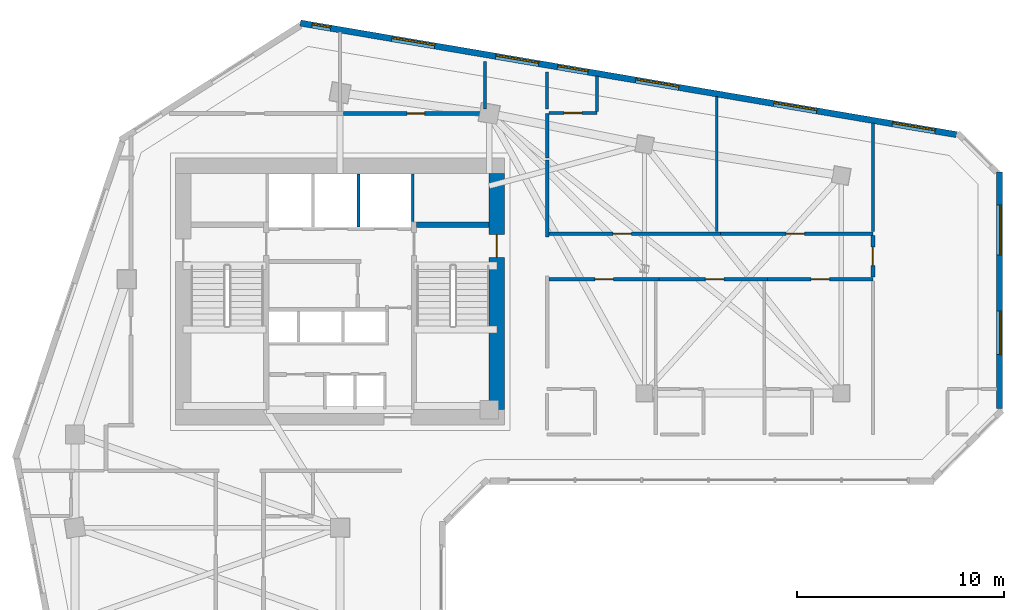
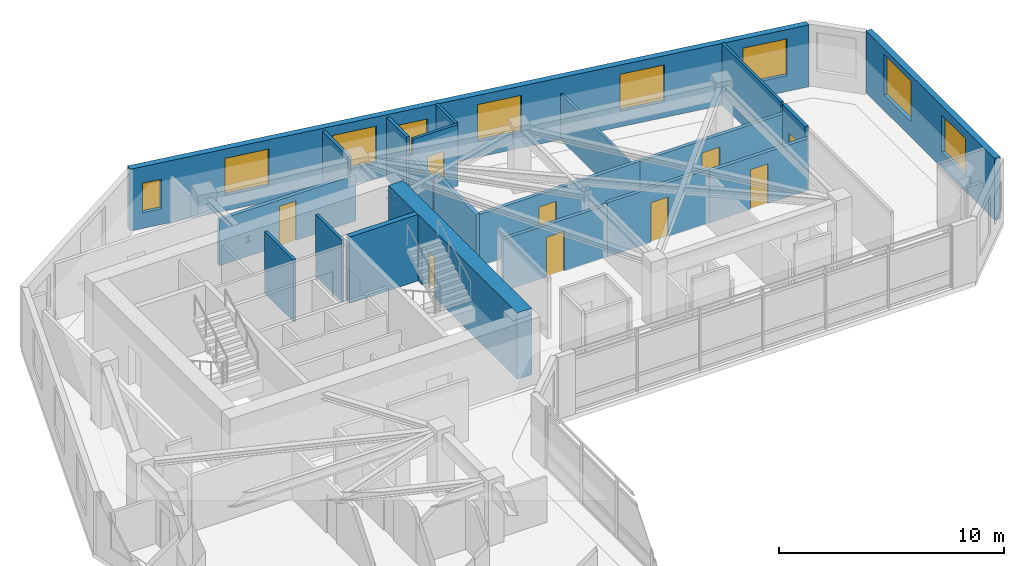
# One storey, part 8 of 12: 21 walls, 9 doors, 9 windows, 18 openings.
"""IFC4 building model written with IfcOpenShell, lengths in metres."""

from ifc_helpers import new_model, si_unit, direction, frame, frame_2d, origin, place, context, subcontext, project, spatial, rectangle, extrude, source, transform, mapped, material, layer, layer_set, type_object, element, fill, save


model = new_model("IFC4")

# Units and contexts
model_context = context("Model", 3, precision=1e-05, world=origin(), true_north=direction((0.0, 1.0)))
body_context = subcontext(model_context, "Body", "Model", "MODEL_VIEW")
ifc_project = project(units=[si_unit("LENGTHUNIT", "METRE"), si_unit("AREAUNIT", "SQUARE_METRE"), si_unit("VOLUMEUNIT", "CUBIC_METRE"), si_unit("PLANEANGLEUNIT", "RADIAN"), si_unit("MASSUNIT", "GRAM", prefix="KILO")], contexts=[model_context])

# Site, building, storey
site_placement = place(None, origin())
site = spatial("IfcSite", under=ifc_project, at=site_placement, CompositionType="ELEMENT")
building_placement = place(site_placement, origin())
building = spatial("IfcBuilding", under=site, at=building_placement, Name="Calvemar Wedge Station Tower", CompositionType="ELEMENT")
storey_placement = place(building_placement, frame((0.0, 0.0, 121.39990234375)))
storey = spatial("IfcBuildingStorey", under=building, at=storey_placement, Name="L29", CompositionType="ELEMENT", Elevation=121.39990234375)

# Wall
ifc_material_1 = material(Name="Concrete C50", Category="concrete")
ifc_layer_1 = layer(ifc_material_1, 0.260009765625)
ifc_layer_set_1 = layer_set([ifc_layer_1], Name="Concrete C50")
wall_type_1 = type_object("IfcWallType", Name="SW-CORE-260", PredefinedType="SHEAR", material=ifc_layer_set_1)
wall_1_placement = place(storey_placement, frame((27.5, 43.1298828125, 0.0), z_axis=(0.0, 0.0, 1.0), x_axis=(1.0, 0.0, 0.0)))
element("IfcWall", 1, at=wall_1_placement, inside=storey, type_object=wall_type_1, Name="Storey L29 Core Shear Wall STC2-N", PredefinedType="SHEAR", context=body_context, shape_type="SweptSolid", body=[
    extrude(rectangle(XDim=3.5, YDim=0.260009765625, at=frame_2d((1.75, 0.0))), origin(), (0.0, 0.0, 1.0), 3.60009765625),
])

# Wall, opening, door
ifc_material_2 = material(Name="Concrete C70", Category="concrete")
ifc_layer_2 = layer(ifc_material_2, 0.75)
ifc_layer_set_2 = layer_set([ifc_layer_2], Name="Concrete C70")
wall_type_2 = type_object("IfcWallType", Name="SW-CORE-750", PredefinedType="SHEAR", material=ifc_layer_set_2)
wall_2_placement = place(storey_placement, frame((31.375, 34.199951171875, 0.0), z_axis=(0.0, 0.0, 1.0), x_axis=(0.0, 1.0, 0.0)))
wall_2 = element("IfcWall", 2, at=wall_2_placement, inside=storey, type_object=wall_type_2, Name="Storey L29 Core Shear Wall E", PredefinedType="SHEAR", context=body_context, shape_type="SweptSolid", body=[
    extrude(rectangle(XDim=11.400146484375, YDim=0.75, at=frame_2d((5.7001953125, 0.0))), origin(), (0.0, 0.0, 1.0), 3.60009765625),
])
shared_shape_1 = source(origin(), body_context, "Body", "SweptSolid", [
    extrude(rectangle(XDim=1.10009765625, YDim=2.14990234375, at=frame_2d((0.550048828125, 1.074951171875))), frame((0.0, 0.385009765625, 0.0), z_axis=(0.0, -1.0, 0.0), x_axis=(1.0, 0.0, 0.0)), (0.0, 0.0, 1.0), 0.77001953125),
])
opening_1_placement = place(wall_2_placement, frame((7.35009765625, 0.0, 0.0)))
opening_1 = element("IfcOpeningElement", 3, at=opening_1_placement, cuts=wall_2, Name="Opening FD-90", PredefinedType="OPENING", context=body_context, shape_type="MappedRepresentation", body=[
    mapped(shared_shape_1, transform((0.0, 0.0, 0.0), scale=1.0)),
])
ifc_material_3 = material(Name="Galvanized fire-rated steel door leaf P-90", Category="steel")
door_type_1 = type_object("IfcDoorType", Name="DR-FD90-1100", OperationType="NOTDEFINED", PredefinedType="DOOR", material=ifc_material_3)
shared_shape_2 = source(origin(), body_context, "Body", "SweptSolid", [
    extrude(rectangle(XDim=1.10009765625, YDim=2.14990234375, at=frame_2d((0.550048828125, 1.074951171875))), frame((0.0, 0.02490234375, 0.0), z_axis=(0.0, -1.0, 0.0), x_axis=(1.0, 0.0, 0.0)), (0.0, 0.0, 1.0), 0.050048828125),
])
door_1_placement = place(opening_1_placement, origin())
door_1 = element("IfcDoor", 4, at=door_1_placement, inside=storey, type_object=door_type_1, Name="L29 East Corridor to Exit Stair ST-C2 Door", OperationType="SINGLE_SWING_RIGHT", OverallHeight=2.14990234375, OverallWidth=1.10009765625, PredefinedType="DOOR", context=body_context, shape_type="MappedRepresentation", body=[
    mapped(shared_shape_2, transform((0.0, 0.0, 0.0), scale=1.0)),
])
fill(opening_1, door_1)

ifc_material_4 = material(Name="Double-stud fire-rated corridor partition")
ifc_layer_3 = layer(ifc_material_4, 0.179931640625)
ifc_layer_set_3 = layer_set([ifc_layer_3], Name="Double-stud fire-rated corridor partition")
wall_type_3 = type_object("IfcWallType", Name="W-CORR-180", PredefinedType="PARTITIONING", material=ifc_layer_set_3)
wall_3_placement = place(storey_placement, frame((23.9619140625, 48.5, 0.0), z_axis=(0.0, 0.0, 1.0), x_axis=(1.0, 0.0, 0.0)))
wall_3 = element("IfcWall", 5, at=wall_3_placement, inside=storey, type_object=wall_type_3, Name="Storey L29 Interior Partition WL-L29-013", PredefinedType="PARTITIONING", context=body_context, shape_type="SweptSolid", body=[
    extrude(rectangle(XDim=6.998046875, YDim=0.179931640625, at=frame_2d((3.4990234375, 0.0))), origin(), (0.0, 0.0, 1.0), 2.4921875),
])
shared_shape_3 = source(origin(), body_context, "Body", "SweptSolid", [
    extrude(rectangle(XDim=0.85009765625, YDim=2.14990234375, at=frame_2d((0.425048828125, 1.074951171875))), frame((0.0, 0.10009765625, 0.0), z_axis=(0.0, -1.0, 0.0), x_axis=(1.0, 0.0, 0.0)), (0.0, 0.0, 1.0), 0.199951171875),
])
opening_2_placement = place(wall_3_placement, frame((3.073974609375, 0.0, 0.0)))
opening_2 = element("IfcOpeningElement", 6, at=opening_2_placement, cuts=wall_3, Name="Opening D-02", PredefinedType="OPENING", context=body_context, shape_type="MappedRepresentation", body=[
    mapped(shared_shape_3, transform((0.0, 0.0, 0.0), scale=1.0)),
])
ifc_material_5 = material(Name="Moisture-sealed bathroom hardwood swing door", Category="wood")
door_type_2 = type_object("IfcDoorType", Name="DR-WET-850", OperationType="NOTDEFINED", PredefinedType="DOOR", material=ifc_material_5)
shared_shape_4 = source(origin(), body_context, "Body", "SweptSolid", [
    extrude(rectangle(XDim=0.85009765625, YDim=2.14990234375, at=frame_2d((0.425048828125, 1.074951171875))), frame((0.0, 0.02490234375, 0.0), z_axis=(0.0, -1.0, 0.0), x_axis=(1.0, 0.0, 0.0)), (0.0, 0.0, 1.0), 0.050048828125),
])
door_2_placement = place(opening_2_placement, origin())
door_2 = element("IfcDoor", 7, at=door_2_placement, inside=storey, type_object=door_type_2, Name="L29 Accessible WC Door", OperationType="SINGLE_SWING_RIGHT", OverallHeight=2.14990234375, OverallWidth=0.85009765625, PredefinedType="DOOR", context=body_context, shape_type="MappedRepresentation", body=[
    mapped(shared_shape_4, transform((0.0, 0.0, 0.0), scale=1.0)),
])
fill(opening_2, door_2)

# Walls
wall_4_placement = place(storey_placement, frame((33.800048828125, 48.5, 0.0), z_axis=(0.0, 0.0, 1.0), x_axis=(0.0, -1.0, 0.0)))
element("IfcWall", 8, at=wall_4_placement, inside=storey, type_object=wall_type_3, Name="Storey L29 Interior Partition WL-L29-014", PredefinedType="PARTITIONING", context=body_context, shape_type="SweptSolid", body=[
    extrude(rectangle(XDim=2.14990234375, YDim=0.179931640625, at=frame_2d((1.074951171875, 0.0))), origin(), (0.0, 0.0, 1.0), 2.4921875),
])
wall_5_placement = place(storey_placement, frame((33.800048828125, 46.256103515625, 0.0), z_axis=(0.0, 0.0, 1.0), x_axis=(0.0, -1.0, 0.0)))
element("IfcWall", 9, at=wall_5_placement, inside=storey, type_object=wall_type_3, Name="Storey L29 Interior Partition WL-L29-016", PredefinedType="PARTITIONING", context=body_context, shape_type="SweptSolid", body=[
    extrude(rectangle(XDim=3.716064453125, YDim=0.179931640625, at=frame_2d((1.85791015625, 0.0))), origin(), (0.0, 0.0, 1.0), 2.922119140625),
])

# Wall, opening, door
wall_6_placement = place(storey_placement, frame((39.205078125, 40.5, 0.0), z_axis=(0.0, 0.0, 1.0), x_axis=(-1.0, 0.0, 0.0)))
wall_6 = element("IfcWall", 10, at=wall_6_placement, inside=storey, type_object=wall_type_3, Name="Storey L29 Interior Partition WL-L29-020", PredefinedType="PARTITIONING", context=body_context, shape_type="SweptSolid", body=[
    extrude(rectangle(XDim=5.31103515625, YDim=0.179931640625, at=frame_2d((2.655517578125, 0.0))), origin(), (0.0, 0.0, 1.0), 2.802978515625),
])
shared_shape_5 = source(origin(), body_context, "Body", "SweptSolid", [
    extrude(rectangle(XDim=0.89990234375, YDim=2.14990234375, at=frame_2d((0.449951171875, 1.074951171875))), frame((0.0, 0.10009765625, 0.0), z_axis=(0.0, -1.0, 0.0), x_axis=(1.0, 0.0, 0.0)), (0.0, 0.0, 1.0), 0.199951171875),
])
opening_3_placement = place(wall_6_placement, frame((2.20556640625, 0.0, 0.0)))
opening_3 = element("IfcOpeningElement", 11, at=opening_3_placement, cuts=wall_6, Name="Opening FD-60", PredefinedType="OPENING", context=body_context, shape_type="MappedRepresentation", body=[
    mapped(shared_shape_5, transform((0.0, 0.0, 0.0), scale=1.0)),
])
ifc_material_6 = material(Name="Fire-rated acoustic timber-core entrance door EI 60", Category="wood")
door_type_3 = type_object("IfcDoorType", Name="DR-FD60-900", OperationType="NOTDEFINED", PredefinedType="DOOR", material=ifc_material_6)
shared_shape_6 = source(origin(), body_context, "Body", "SweptSolid", [
    extrude(rectangle(XDim=0.89990234375, YDim=2.14990234375, at=frame_2d((0.449951171875, 1.074951171875))), frame((0.0, 0.02490234375, 0.0), z_axis=(0.0, -1.0, 0.0), x_axis=(1.0, 0.0, 0.0)), (0.0, 0.0, 1.0), 0.050048828125),
])
door_3_placement = place(opening_3_placement, origin())
door_3 = element("IfcDoor", 12, at=door_3_placement, inside=storey, type_object=door_type_3, Name="L29 Hotel Guest Room Door", OperationType="SINGLE_SWING_RIGHT", OverallHeight=2.14990234375, OverallWidth=0.89990234375, PredefinedType="DOOR", context=body_context, shape_type="MappedRepresentation", body=[
    mapped(shared_shape_6, transform((0.0, 0.0, 0.0), scale=1.0)),
])
fill(opening_3, door_3)

wall_7_placement = place(storey_placement, frame((44.449951171875, 40.5, 0.0), z_axis=(0.0, 0.0, 1.0), x_axis=(-1.0, 0.0, 0.0)))
wall_7 = element("IfcWall", 13, at=wall_7_placement, inside=storey, type_object=wall_type_3, Name="Storey L29 Interior Partition WL-L29-021", PredefinedType="PARTITIONING", context=body_context, shape_type="SweptSolid", body=[
    extrude(rectangle(XDim=5.242919921875, YDim=0.179931640625, at=frame_2d((2.62158203125, 0.0))), origin(), (0.0, 0.0, 1.0), 2.922119140625),
])
opening_4_placement = place(wall_7_placement, frame((2.110595703125, 0.0, 0.0)))
opening_4 = element("IfcOpeningElement", 14, at=opening_4_placement, cuts=wall_7, Name="Opening FD-60", PredefinedType="OPENING", context=body_context, shape_type="MappedRepresentation", body=[
    mapped(shared_shape_5, transform((0.0, 0.0, 0.0), scale=1.0)),
])
door_4_placement = place(opening_4_placement, origin())
door_4 = element("IfcDoor", 15, at=door_4_placement, inside=storey, type_object=door_type_3, Name="L29 Hotel Guest Room Door", OperationType="SINGLE_SWING_RIGHT", OverallHeight=2.14990234375, OverallWidth=0.89990234375, PredefinedType="DOOR", context=body_context, shape_type="MappedRepresentation", body=[
    mapped(shared_shape_6, transform((0.0, 0.0, 0.0), scale=1.0)),
])
fill(opening_4, door_4)

wall_8_placement = place(storey_placement, frame((49.534912109375, 40.5, 0.0), z_axis=(0.0, 0.0, 1.0), x_axis=(-1.0, 0.0, 0.0)))
wall_8 = element("IfcWall", 16, at=wall_8_placement, inside=storey, type_object=wall_type_3, Name="Storey L29 Interior Partition WL-L29-022", PredefinedType="PARTITIONING", context=body_context, shape_type="SweptSolid", body=[
    extrude(rectangle(XDim=5.0830078125, YDim=0.179931640625, at=frame_2d((2.54150390625, 0.0))), origin(), (0.0, 0.0, 1.0), 2.802978515625),
])
opening_5_placement = place(wall_8_placement, frame((2.091552734375, 0.0, 0.0)))
opening_5 = element("IfcOpeningElement", 17, at=opening_5_placement, cuts=wall_8, Name="Opening FD-60", PredefinedType="OPENING", context=body_context, shape_type="MappedRepresentation", body=[
    mapped(shared_shape_5, transform((0.0, 0.0, 0.0), scale=1.0)),
])
door_5_placement = place(opening_5_placement, origin())
door_5 = element("IfcDoor", 18, at=door_5_placement, inside=storey, type_object=door_type_3, Name="L29 Hotel Guest Room Door", OperationType="SINGLE_SWING_RIGHT", OverallHeight=2.14990234375, OverallWidth=0.89990234375, PredefinedType="DOOR", context=body_context, shape_type="MappedRepresentation", body=[
    mapped(shared_shape_6, transform((0.0, 0.0, 0.0), scale=1.0)),
])
fill(opening_5, door_5)

wall_9_placement = place(storey_placement, frame((33.89404296875, 42.699951171875, 0.0), z_axis=(0.0, 0.0, 1.0), x_axis=(1.0, 0.0, 0.0)))
wall_9 = element("IfcWall", 19, at=wall_9_placement, inside=storey, type_object=wall_type_3, Name="Storey L29 Interior Partition WL-L29-023", PredefinedType="PARTITIONING", context=body_context, shape_type="SweptSolid", body=[
    extrude(rectangle(XDim=8.265869140625, YDim=0.179931640625, at=frame_2d((4.1328125, 0.0))), origin(), (0.0, 0.0, 1.0), 2.802978515625),
])
opening_6_placement = place(wall_9_placement, frame((3.0751953125, 0.0, 0.0)))
opening_6 = element("IfcOpeningElement", 20, at=opening_6_placement, cuts=wall_9, Name="Opening FD-60", PredefinedType="OPENING", context=body_context, shape_type="MappedRepresentation", body=[
    mapped(shared_shape_5, transform((0.0, 0.0, 0.0), scale=1.0)),
])
door_6_placement = place(opening_6_placement, origin())
door_6 = element("IfcDoor", 21, at=door_6_placement, inside=storey, type_object=door_type_3, Name="L29 Hotel Suite Door", OperationType="SINGLE_SWING_RIGHT", OverallHeight=2.14990234375, OverallWidth=0.89990234375, PredefinedType="DOOR", context=body_context, shape_type="MappedRepresentation", body=[
    mapped(shared_shape_6, transform((0.0, 0.0, 0.0), scale=1.0)),
])
fill(opening_6, door_6)

wall_10_placement = place(storey_placement, frame((42.162109375, 42.699951171875, 0.0), z_axis=(0.0, 0.0, 1.0), x_axis=(1.0, 0.0, 0.0)))
wall_10 = element("IfcWall", 22, at=wall_10_placement, inside=storey, type_object=wall_type_3, Name="Storey L29 Interior Partition WL-L29-024", PredefinedType="PARTITIONING", context=body_context, shape_type="SweptSolid", body=[
    extrude(rectangle(XDim=7.372802734375, YDim=0.179931640625, at=frame_2d((3.6865234375, 0.0))), origin(), (0.0, 0.0, 1.0), 2.802978515625),
])
opening_7_placement = place(wall_10_placement, frame((3.17626953125, 0.0, 0.0)))
opening_7 = element("IfcOpeningElement", 23, at=opening_7_placement, cuts=wall_10, Name="Opening D-01", PredefinedType="OPENING", context=body_context, shape_type="MappedRepresentation", body=[
    mapped(shared_shape_5, transform((0.0, 0.0, 0.0), scale=1.0)),
])
ifc_material_7 = material(Name="Architectural hardwood acoustic swing door", Category="wood")
door_type_4 = type_object("IfcDoorType", Name="DR-INT-900", OperationType="NOTDEFINED", PredefinedType="DOOR", material=ifc_material_7)
shared_shape_7 = source(origin(), body_context, "Body", "SweptSolid", [
    extrude(rectangle(XDim=0.89990234375, YDim=2.14990234375, at=frame_2d((0.449951171875, 1.074951171875))), frame((0.0, 0.02490234375, 0.0), z_axis=(0.0, -1.0, 0.0), x_axis=(1.0, 0.0, 0.0)), (0.0, 0.0, 1.0), 0.050048828125),
])
door_7_placement = place(opening_7_placement, origin())
door_7 = element("IfcDoor", 24, at=door_7_placement, inside=storey, type_object=door_type_4, Name="L29 Fitness Studio Door", OperationType="SINGLE_SWING_LEFT", OverallHeight=2.14990234375, OverallWidth=0.89990234375, PredefinedType="DOOR", context=body_context, shape_type="MappedRepresentation", body=[
    mapped(shared_shape_7, transform((0.0, 0.0, 0.0), scale=1.0)),
])
fill(opening_7, door_7)

wall_11_placement = place(storey_placement, frame((49.534912109375, 42.60595703125, 0.0), z_axis=(0.0, 0.0, 1.0), x_axis=(0.0, -1.0, 0.0)))
wall_11 = element("IfcWall", 25, at=wall_11_placement, inside=storey, type_object=wall_type_3, Name="Storey L29 Interior Partition WL-L29-025", PredefinedType="PARTITIONING", context=body_context, shape_type="SweptSolid", body=[
    extrude(rectangle(XDim=2.011962890625, YDim=0.179931640625, at=frame_2d((1.005859375, 0.0))), origin(), (0.0, 0.0, 1.0), 3.35009765625),
])
opening_8_placement = place(wall_11_placement, frame((0.555908203125, 0.0, 0.0)))
opening_8 = element("IfcOpeningElement", 26, at=opening_8_placement, cuts=wall_11, Name="Opening FD-60", PredefinedType="OPENING", context=body_context, shape_type="MappedRepresentation", body=[
    mapped(shared_shape_5, transform((0.0, 0.0, 0.0), scale=1.0)),
])
door_8_placement = place(opening_8_placement, origin())
door_8 = element("IfcDoor", 27, at=door_8_placement, inside=storey, type_object=door_type_3, Name="L29 Hotel Suite Door", OperationType="SINGLE_SWING_LEFT", OverallHeight=2.14990234375, OverallWidth=0.89990234375, PredefinedType="DOOR", context=body_context, shape_type="MappedRepresentation", body=[
    mapped(shared_shape_6, transform((0.0, 0.0, 0.0), scale=1.0)),
])
fill(opening_8, door_8)

# Wall, openings, windows
ifc_material_8 = material(Name="Precast concrete C45", Category="concrete")
ifc_layer_4 = layer(ifc_material_8, 0.300048828125)
ifc_layer_set_4 = layer_set([ifc_layer_4], Name="Precast concrete C45")
wall_type_4 = type_object("IfcWallType", Name="W-EXT-GFRC-300", PredefinedType="SOLIDWALL", material=ifc_layer_set_4)
wall_12_placement = place(storey_placement, frame((55.64990234375, 34.249267578125, 0.0), z_axis=(0.0, 0.0, 1.0), x_axis=(0.0, 1.0, 0.0)))
wall_12 = element("IfcWall", 28, at=wall_12_placement, inside=storey, type_object=wall_type_4, Name="Storey L29 Bronze GFRC Exterior Wall 8", PredefinedType="SOLIDWALL", context=body_context, shape_type="SweptSolid", body=[
    extrude(rectangle(XDim=11.4306640625, YDim=0.300048828125, at=frame_2d((5.71533203125, 0.0))), origin(), (0.0, 0.0, 1.0), 3.35009765625),
])
shared_shape_8 = source(origin(), body_context, "Body", "SweptSolid", [
    extrude(rectangle(XDim=2.10009765625, YDim=2.0, at=frame_2d((1.050048828125, 1.0))), frame((0.0, 0.16015625, 0.0), z_axis=(0.0, -1.0, 0.0), x_axis=(1.0, 0.0, 0.0)), (0.0, 0.0, 1.0), 0.320068359375),
])
opening_9_placement = place(wall_12_placement, frame((2.60595703125, 0.0, 0.85009765625)))
opening_9 = element("IfcOpeningElement", 29, at=opening_9_placement, cuts=wall_12, Name="Opening W4", PredefinedType="OPENING", context=body_context, shape_type="MappedRepresentation", body=[
    mapped(shared_shape_8, transform((0.0, 0.0, 0.0), scale=1.0)),
])
shared_shape_9 = source(origin(), body_context, "Body", "SweptSolid", [
    extrude(rectangle(XDim=2.39990234375, YDim=2.199951171875, at=frame_2d((1.199951171875, 1.10009765625))), frame((0.0, 0.16015625, 0.0), z_axis=(0.0, -1.0, 0.0), x_axis=(1.0, 0.0, 0.0)), (0.0, 0.0, 1.0), 0.320068359375),
])
opening_10_placement = place(wall_12_placement, frame((7.426025390625, 0.0, 0.85009765625)))
opening_10 = element("IfcOpeningElement", 30, at=opening_10_placement, cuts=wall_12, Name="Opening W1", PredefinedType="OPENING", context=body_context, shape_type="MappedRepresentation", body=[
    mapped(shared_shape_9, transform((0.0, 0.0, 0.0), scale=1.0)),
])
ifc_material_9 = material(Name="Low-E laminated insulated glass", Category="glass")
window_type_1 = type_object("IfcWindowType", Name="WIN-EXT-4", PartitioningType="SINGLE_PANEL", PredefinedType="WINDOW", material=ifc_material_9)
shared_shape_10 = source(origin(), body_context, "Body", "SweptSolid", [
    extrude(rectangle(XDim=2.10009765625, YDim=2.0, at=frame_2d((1.050048828125, 1.0))), frame((0.0, -0.014892578125, 0.0), z_axis=(0.0, -1.0, 0.0), x_axis=(1.0, 0.0, 0.0)), (0.0, 0.0, 1.0), 0.06005859375),
])
window_1_placement = place(opening_9_placement, origin())
window_1 = element("IfcWindow", 31, at=window_1_placement, inside=storey, type_object=window_type_1, Name="Storey L29 Recessed Window 8.1", OverallHeight=2.0, OverallWidth=2.10009765625, PartitioningType="SINGLE_PANEL", PredefinedType="WINDOW", context=body_context, shape_type="MappedRepresentation", body=[
    mapped(shared_shape_10, transform((0.0, 0.0, 0.0), scale=1.0)),
])
fill(opening_9, window_1)
window_type_2 = type_object("IfcWindowType", Name="WIN-EXT-1", PartitioningType="SINGLE_PANEL", PredefinedType="WINDOW", material=ifc_material_9)
shared_shape_11 = source(origin(), body_context, "Body", "SweptSolid", [
    extrude(rectangle(XDim=2.39990234375, YDim=2.199951171875, at=frame_2d((1.199951171875, 1.10009765625))), frame((0.0, -0.014892578125, 0.0), z_axis=(0.0, -1.0, 0.0), x_axis=(1.0, 0.0, 0.0)), (0.0, 0.0, 1.0), 0.06005859375),
])
window_2_placement = place(opening_10_placement, origin())
window_2 = element("IfcWindow", 32, at=window_2_placement, inside=storey, type_object=window_type_2, Name="Storey L29 Recessed Window 8.2", OverallHeight=2.199951171875, OverallWidth=2.39990234375, PartitioningType="SINGLE_PANEL", PredefinedType="WINDOW", context=body_context, shape_type="MappedRepresentation", body=[
    mapped(shared_shape_11, transform((0.0, 0.0, 0.0), scale=1.0)),
])
fill(opening_10, window_2)

wall_13_placement = place(storey_placement, frame((53.56103515625, 47.48046875, 0.0), z_axis=(0.0, 0.0, 1.0), x_axis=(-0.985845173895, 0.167658262868, 0.0)))
wall_13 = element("IfcWall", 33, at=wall_13_placement, inside=storey, type_object=wall_type_4, Name="Storey L29 Bronze GFRC Exterior Wall 10", PredefinedType="SOLIDWALL", context=body_context, shape_type="SweptSolid", body=[
    extrude(rectangle(XDim=32.132080078125, YDim=0.300048828125, at=frame_2d((16.06591796875, 0.0))), origin(), (0.0, 0.0, 1.0), 3.35009765625),
])
opening_11_placement = place(wall_13_placement, frame((1.031982421875, 0.0, 0.85009765625)))
opening_11 = element("IfcOpeningElement", 34, at=opening_11_placement, cuts=wall_13, Name="Opening W4", PredefinedType="OPENING", context=body_context, shape_type="MappedRepresentation", body=[
    mapped(shared_shape_8, transform((0.0, 0.0, 0.0), scale=1.0)),
])
opening_12_placement = place(wall_13_placement, frame((6.8359375, 0.0, 0.85009765625)))
opening_12 = element("IfcOpeningElement", 35, at=opening_12_placement, cuts=wall_13, Name="Opening W4", PredefinedType="OPENING", context=body_context, shape_type="MappedRepresentation", body=[
    mapped(shared_shape_8, transform((0.0, 0.0, 0.0), scale=1.0)),
])
opening_13_placement = place(wall_13_placement, frame((13.59912109375, 0.0, 0.85009765625)))
opening_13 = element("IfcOpeningElement", 36, at=opening_13_placement, cuts=wall_13, Name="Opening W4", PredefinedType="OPENING", context=body_context, shape_type="MappedRepresentation", body=[
    mapped(shared_shape_8, transform((0.0, 0.0, 0.0), scale=1.0)),
])
shared_shape_12 = source(origin(), body_context, "Body", "SweptSolid", [
    extrude(rectangle(XDim=1.5, YDim=1.800048828125, at=frame_2d((0.75, 0.89990234375))), frame((0.0, 0.16015625, 0.0), z_axis=(0.0, -1.0, 0.0), x_axis=(1.0, 0.0, 0.0)), (0.0, 0.0, 1.0), 0.320068359375),
])
opening_14_placement = place(wall_13_placement, frame((18.0390625, 0.0, 0.85009765625)))
opening_14 = element("IfcOpeningElement", 37, at=opening_14_placement, cuts=wall_13, Name="Opening W3", PredefinedType="OPENING", context=body_context, shape_type="MappedRepresentation", body=[
    mapped(shared_shape_12, transform((0.0, 0.0, 0.0), scale=1.0)),
])
opening_15_placement = place(wall_13_placement, frame((20.458984375, 0.0, 0.85009765625)))
opening_15 = element("IfcOpeningElement", 38, at=opening_15_placement, cuts=wall_13, Name="Opening W4", PredefinedType="OPENING", context=body_context, shape_type="MappedRepresentation", body=[
    mapped(shared_shape_8, transform((0.0, 0.0, 0.0), scale=1.0)),
])
opening_16_placement = place(wall_13_placement, frame((25.550048828125, 0.0, 0.85009765625)))
opening_16 = element("IfcOpeningElement", 39, at=opening_16_placement, cuts=wall_13, Name="Opening W4", PredefinedType="OPENING", context=body_context, shape_type="MappedRepresentation", body=[
    mapped(shared_shape_8, transform((0.0, 0.0, 0.0), scale=1.0)),
])
shared_shape_13 = source(origin(), body_context, "Body", "SweptSolid", [
    extrude(rectangle(XDim=0.89990234375, YDim=1.60009765625, at=frame_2d((0.449951171875, 0.800048828125))), frame((0.0, 0.16015625, 0.0), z_axis=(0.0, -1.0, 0.0), x_axis=(1.0, 0.0, 0.0)), (0.0, 0.0, 1.0), 0.320068359375),
])
opening_17_placement = place(wall_13_placement, frame((30.64990234375, 0.0, 0.85009765625)))
opening_17 = element("IfcOpeningElement", 40, at=opening_17_placement, cuts=wall_13, Name="Opening W7", PredefinedType="OPENING", context=body_context, shape_type="MappedRepresentation", body=[
    mapped(shared_shape_13, transform((0.0, 0.0, 0.0), scale=1.0)),
])
window_3_placement = place(opening_11_placement, origin())
window_3 = element("IfcWindow", 41, at=window_3_placement, inside=storey, type_object=window_type_1, Name="Storey L29 Recessed Window 10.1", OverallHeight=2.0, OverallWidth=2.10009765625, PartitioningType="SINGLE_PANEL", PredefinedType="WINDOW", context=body_context, shape_type="MappedRepresentation", body=[
    mapped(shared_shape_10, transform((0.0, 0.0, 0.0), scale=1.0)),
])
fill(opening_11, window_3)
window_4_placement = place(opening_12_placement, origin())
window_4 = element("IfcWindow", 42, at=window_4_placement, inside=storey, type_object=window_type_1, Name="Storey L29 Recessed Window 10.2", OverallHeight=2.0, OverallWidth=2.10009765625, PartitioningType="SINGLE_PANEL", PredefinedType="WINDOW", context=body_context, shape_type="MappedRepresentation", body=[
    mapped(shared_shape_10, transform((0.0, 0.0, 0.0), scale=1.0)),
])
fill(opening_12, window_4)
window_5_placement = place(opening_13_placement, origin())
window_5 = element("IfcWindow", 43, at=window_5_placement, inside=storey, type_object=window_type_1, Name="Storey L29 Recessed Window 10.3", OverallHeight=2.0, OverallWidth=2.10009765625, PartitioningType="SINGLE_PANEL", PredefinedType="WINDOW", context=body_context, shape_type="MappedRepresentation", body=[
    mapped(shared_shape_10, transform((0.0, 0.0, 0.0), scale=1.0)),
])
fill(opening_13, window_5)
window_6_placement = place(opening_15_placement, origin())
window_6 = element("IfcWindow", 44, at=window_6_placement, inside=storey, type_object=window_type_1, Name="Storey L29 Recessed Window 10.5", OverallHeight=2.0, OverallWidth=2.10009765625, PartitioningType="SINGLE_PANEL", PredefinedType="WINDOW", context=body_context, shape_type="MappedRepresentation", body=[
    mapped(shared_shape_10, transform((0.0, 0.0, 0.0), scale=1.0)),
])
fill(opening_15, window_6)
window_7_placement = place(opening_16_placement, origin())
window_7 = element("IfcWindow", 45, at=window_7_placement, inside=storey, type_object=window_type_1, Name="Storey L29 Recessed Window 10.6", OverallHeight=2.0, OverallWidth=2.10009765625, PartitioningType="SINGLE_PANEL", PredefinedType="WINDOW", context=body_context, shape_type="MappedRepresentation", body=[
    mapped(shared_shape_10, transform((0.0, 0.0, 0.0), scale=1.0)),
])
fill(opening_16, window_7)
window_type_3 = type_object("IfcWindowType", Name="WIN-EXT-3", PartitioningType="SINGLE_PANEL", PredefinedType="WINDOW", material=ifc_material_9)
shared_shape_14 = source(origin(), body_context, "Body", "SweptSolid", [
    extrude(rectangle(XDim=1.5, YDim=1.800048828125, at=frame_2d((0.75, 0.89990234375))), frame((0.0, -0.014892578125, 0.0), z_axis=(0.0, -1.0, 0.0), x_axis=(1.0, 0.0, 0.0)), (0.0, 0.0, 1.0), 0.06005859375),
])
window_8_placement = place(opening_14_placement, origin())
window_8 = element("IfcWindow", 46, at=window_8_placement, inside=storey, type_object=window_type_3, Name="Storey L29 Recessed Window 10.4", OverallHeight=1.800048828125, OverallWidth=1.5, PartitioningType="SINGLE_PANEL", PredefinedType="WINDOW", context=body_context, shape_type="MappedRepresentation", body=[
    mapped(shared_shape_14, transform((0.0, 0.0, 0.0), scale=1.0)),
])
fill(opening_14, window_8)
window_type_4 = type_object("IfcWindowType", Name="WIN-EXT-7", PartitioningType="SINGLE_PANEL", PredefinedType="WINDOW", material=ifc_material_9)
shared_shape_15 = source(origin(), body_context, "Body", "SweptSolid", [
    extrude(rectangle(XDim=0.89990234375, YDim=1.60009765625, at=frame_2d((0.449951171875, 0.800048828125))), frame((0.0, -0.014892578125, 0.0), z_axis=(0.0, -1.0, 0.0), x_axis=(1.0, 0.0, 0.0)), (0.0, 0.0, 1.0), 0.06005859375),
])
window_9_placement = place(opening_17_placement, origin())
window_9 = element("IfcWindow", 47, at=window_9_placement, inside=storey, type_object=window_type_4, Name="Storey L29 Recessed Window 10.7", OverallHeight=1.60009765625, OverallWidth=0.89990234375, PartitioningType="SINGLE_PANEL", PredefinedType="WINDOW", context=body_context, shape_type="MappedRepresentation", body=[
    mapped(shared_shape_15, transform((0.0, 0.0, 0.0), scale=1.0)),
])
fill(opening_17, window_9)

# Walls
ifc_material_10 = material(Name="Reinforced concrete blockwork lift shaft wall", Category="masonry")
ifc_layer_5 = layer(ifc_material_10, 0.139892578125)
ifc_layer_set_5 = layer_set([ifc_layer_5], Name="Reinforced concrete blockwork lift shaft wall")
wall_type_5 = type_object("IfcWallType", Name="W-LIFT-160", PredefinedType="SOLIDWALL", material=ifc_layer_set_5)
wall_14_placement = place(storey_placement, frame((27.31005859375, 43.280029296875, 0.0), z_axis=(0.0, 0.0, 1.0), x_axis=(0.0, 1.0, 0.0)))
element("IfcWall", 48, at=wall_14_placement, inside=storey, type_object=wall_type_5, Name="Storey L29 Firefighting Lift Shaft Enclosure Wall E", PredefinedType="SOLIDWALL", context=body_context, shape_type="SweptSolid", body=[
    extrude(rectangle(XDim=2.300048828125, YDim=0.139892578125, at=frame_2d((1.14990234375, 0.0))), origin(), (0.0, 0.0, 1.0), 3.35009765625),
])
wall_15_placement = place(storey_placement, frame((24.699951171875, 43.02001953125, 0.0), z_axis=(0.0, 0.0, 1.0), x_axis=(0.0, 1.0, 0.0)))
element("IfcWall", 49, at=wall_15_placement, inside=storey, type_object=wall_type_5, Name="Storey L29 Firefighting Lift Shaft Enclosure Wall D2", PredefinedType="SOLIDWALL", context=body_context, shape_type="SweptSolid", body=[
    extrude(rectangle(XDim=2.56005859375, YDim=0.139892578125, at=frame_2d((1.280029296875, 0.0))), origin(), (0.0, 0.0, 1.0), 3.35009765625),
])
ifc_material_11 = material(Name="Insulated acoustic gypsum stud partition")
ifc_layer_6 = layer(ifc_material_11, 0.125)
ifc_layer_set_6 = layer_set([ifc_layer_6], Name="Insulated acoustic gypsum stud partition")
wall_type_6 = type_object("IfcWallType", Name="W-PART-125", PredefinedType="PARTITIONING", material=ifc_layer_set_6)
wall_16_placement = place(storey_placement, frame((42.0, 49.329833984375, 0.0), z_axis=(0.0, 0.0, 1.0), x_axis=(0.0, -1.0, 0.0)))
element("IfcWall", 50, at=wall_16_placement, inside=storey, type_object=wall_type_6, Name="Storey L29 Interior Partition WL-L29-039", PredefinedType="PARTITIONING", context=body_context, shape_type="SweptSolid", body=[
    extrude(rectangle(XDim=6.535888671875, YDim=0.125, at=frame_2d((3.26806640625, 0.0))), origin(), (0.0, 0.0, 1.0), 2.4921875),
])
wall_17_placement = place(storey_placement, frame((49.534912109375, 48.048583984375, 0.0), z_axis=(0.0, 0.0, 1.0), x_axis=(0.0, -1.0, 0.0)))
element("IfcWall", 51, at=wall_17_placement, inside=storey, type_object=wall_type_6, Name="Storey L29 Interior Partition WL-L29-040", PredefinedType="PARTITIONING", context=body_context, shape_type="SweptSolid", body=[
    extrude(rectangle(XDim=5.254638671875, YDim=0.125, at=frame_2d((2.62744140625, 0.0))), origin(), (0.0, 0.0, 1.0), 3.35009765625),
])

# Wall, opening, door
ifc_material_12 = material(Name="Moisture-resistant acoustic bathroom partition")
ifc_layer_7 = layer(ifc_material_12, 0.14990234375)
ifc_layer_set_7 = layer_set([ifc_layer_7], Name="Moisture-resistant acoustic bathroom partition")
wall_type_7 = type_object("IfcWallType", Name="W-WET-150", PredefinedType="PARTITIONING", material=ifc_layer_set_7)
wall_18_placement = place(storey_placement, frame((36.199951171875, 48.5244140625, 0.0), z_axis=(0.0, 0.0, 1.0), x_axis=(-1.0, 0.0, 0.0)))
wall_18 = element("IfcWall", 52, at=wall_18_placement, inside=storey, type_object=wall_type_7, Name="Storey L29 Interior Partition WL-L29-037", PredefinedType="PARTITIONING", context=body_context, shape_type="SweptSolid", body=[
    extrude(rectangle(XDim=2.305908203125, YDim=0.14990234375, at=frame_2d((1.15283203125, 0.0))), origin(), (0.0, 0.0, 1.0), 3.35009765625),
])
shared_shape_16 = source(origin(), body_context, "Body", "SweptSolid", [
    extrude(rectangle(XDim=0.85009765625, YDim=2.14990234375, at=frame_2d((0.425048828125, 1.074951171875))), frame((0.0, 0.0849609375, 0.0), z_axis=(0.0, -1.0, 0.0), x_axis=(1.0, 0.0, 0.0)), (0.0, 0.0, 1.0), 0.169921875),
])
opening_18_placement = place(wall_18_placement, frame((0.72802734375, 0.0, 0.0)))
opening_18 = element("IfcOpeningElement", 53, at=opening_18_placement, cuts=wall_18, Name="Opening D-02", PredefinedType="OPENING", context=body_context, shape_type="MappedRepresentation", body=[
    mapped(shared_shape_16, transform((0.0, 0.0, 0.0), scale=1.0)),
])
door_9_placement = place(opening_18_placement, origin())
door_9 = element("IfcDoor", 54, at=door_9_placement, inside=storey, type_object=door_type_2, Name="L29 En-Suite Bathroom Door", OperationType="SINGLE_SWING_LEFT", OverallHeight=2.14990234375, OverallWidth=0.85009765625, PredefinedType="DOOR", context=body_context, shape_type="MappedRepresentation", body=[
    mapped(shared_shape_4, transform((0.0, 0.0, 0.0), scale=1.0)),
])
fill(opening_18, door_9)

# Walls
wall_19_placement = place(storey_placement, frame((36.199951171875, 50.31640625, 0.0), z_axis=(0.0, 0.0, 1.0), x_axis=(0.0, -1.0, 0.0)))
element("IfcWall", 55, at=wall_19_placement, inside=storey, type_object=wall_type_7, Name="Storey L29 Interior Partition WL-L29-038", PredefinedType="PARTITIONING", context=body_context, shape_type="SweptSolid", body=[
    extrude(rectangle(XDim=1.712890625, YDim=0.14990234375, at=frame_2d((0.8564453125, 0.0))), origin(), (0.0, 0.0, 1.0), 3.35009765625),
])
wall_20_placement = place(storey_placement, frame((30.800048828125, 51.011474609375, 0.0), z_axis=(0.0, 0.0, 1.0), x_axis=(0.0, -1.0, 0.0)))
element("IfcWall", 56, at=wall_20_placement, inside=storey, type_object=wall_type_7, Name="Storey L29 Bathroom Enclosure Wall WL-L29-072", PredefinedType="PARTITIONING", context=body_context, shape_type="SweptSolid", body=[
    extrude(rectangle(XDim=2.29150390625, YDim=0.14990234375, at=frame_2d((1.145751953125, 0.0))), origin(), (0.0, 0.0, 1.0), 3.35009765625),
])
wall_21_placement = place(storey_placement, frame((33.800048828125, 48.72314453125, 0.0), z_axis=(0.0, 0.0, 1.0), x_axis=(0.0, 1.0, 0.0)))
element("IfcWall", 57, at=wall_21_placement, inside=storey, type_object=wall_type_7, Name="Storey L29 Bathroom Enclosure Wall WL-L29-077", PredefinedType="PARTITIONING", context=body_context, shape_type="SweptSolid", body=[
    extrude(rectangle(XDim=1.778076171875, YDim=0.14990234375, at=frame_2d((0.88916015625, 0.0))), origin(), (0.0, 0.0, 1.0), 3.35009765625),
])

save(model, "model.ifc")
